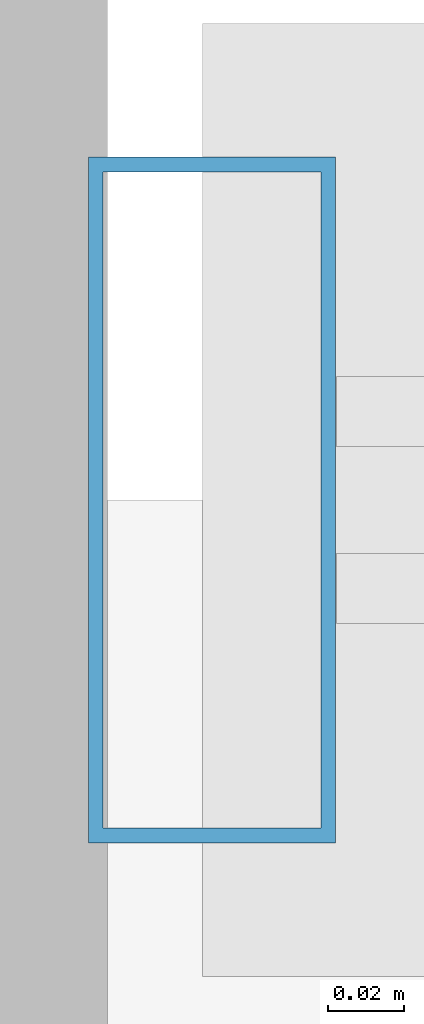
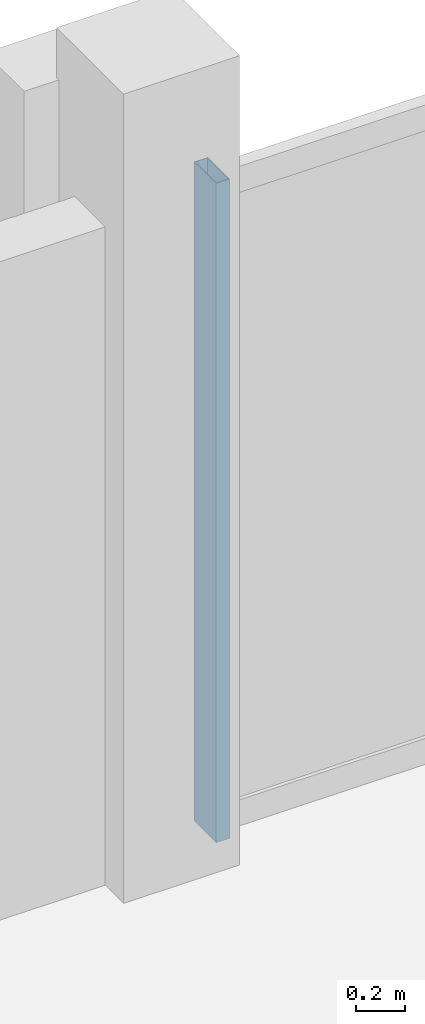
# One storey, part 26 of 59: 1 member, 1 element without a shape of its own.
"""IFC4 building model written with IfcOpenShell, lengths in metres."""

from ifc_helpers import new_model, si_unit, direction, frame, origin, origin_2d, place, context, subcontext, project, spatial, hollow_rectangle, extrude, material, layer, layer_set, material_profile, profile_set, type_object, element, aggregate, save


model = new_model("IFC4")

# Units and contexts
model_context = context("Model", 3, precision=1e-05, world=origin(), true_north=direction((0.0, 1.0)))
body_context = subcontext(model_context, "Body", "Model", "MODEL_VIEW")
ifc_project = project(units=[si_unit("LENGTHUNIT", "METRE"), si_unit("AREAUNIT", "SQUARE_METRE"), si_unit("VOLUMEUNIT", "CUBIC_METRE"), si_unit("PLANEANGLEUNIT", "RADIAN"), si_unit("MASSUNIT", "GRAM", prefix="KILO")], contexts=[model_context])

# Site, building, storey
site_placement = place(None, origin())
site = spatial("IfcSite", under=ifc_project, at=site_placement, CompositionType="ELEMENT")
building_placement = place(site_placement, origin())
building = spatial("IfcBuilding", under=site, at=building_placement, Name="Kangsadwip Square Police Headquarters", CompositionType="ELEMENT")
storey_placement = place(building_placement, frame((0.0, 0.0, 21.60009765625)))
storey = spatial("IfcBuildingStorey", under=building, at=storey_placement, Name="L05", CompositionType="ELEMENT", Elevation=21.60009765625)

# Curtain wall, member
ifc_material_1 = material(Name="Thermally broken anodised aluminium AW-6063-T6", Category="aluminium")
ifc_layer = layer(ifc_material_1, 0.159912109375)
ifc_layer_set = layer_set([ifc_layer], Name="Thermally broken anodised aluminium AW-6063-T6")
curtain_wall_type = type_object("IfcCurtainWallType", Name="UnitisedCw6685x3300", PredefinedType="NOTDEFINED", material=ifc_layer_set)
curtain_wall_placement = place(storey_placement, origin())
curtain_wall = element("IfcCurtainWall", 1, at=curtain_wall_placement, inside=storey, type_object=curtain_wall_type, Name="Curtain Wall CW-L05-1587-1152", PredefinedType="NOTDEFINED")
ifc_material_2 = material(Name="Thermally broken anodised aluminium AW-6063-T6", Category="aluminium")
ifc_material_profile = material_profile(ifc_material_2, hollow_rectangle(XDim=0.06494140625, YDim=0.179931640625, WallThickness=0.00390625, at=origin_2d()), Name="CWM 180X65X4")
ifc_profile_set = profile_set([ifc_material_profile], Name="Thermally broken anodised aluminium AW-6063-T6")
member_type = type_object("IfcMemberType", Name="CwMullion160x65", PredefinedType="MULLION", material=ifc_profile_set)
member_placement = place(storey_placement, frame((158.702392578125, 115.199951171875, 0.0), z_axis=(0.0, 0.0, 1.0), x_axis=(1.0, 0.0, 0.0)))
member = element("IfcMember", 2, at=member_placement, type_object=member_type, Name="CW-51 mullion 1", PredefinedType="MULLION", context=body_context, shape_type="SweptSolid", body=[
    extrude(hollow_rectangle(XDim=0.06494140625, YDim=0.179931640625, WallThickness=0.00390625, at=origin_2d()), origin(), (0.0, 0.0, 1.0), 3.2998046875),
])
aggregate(curtain_wall, [member])

save(model, "model.ifc")
